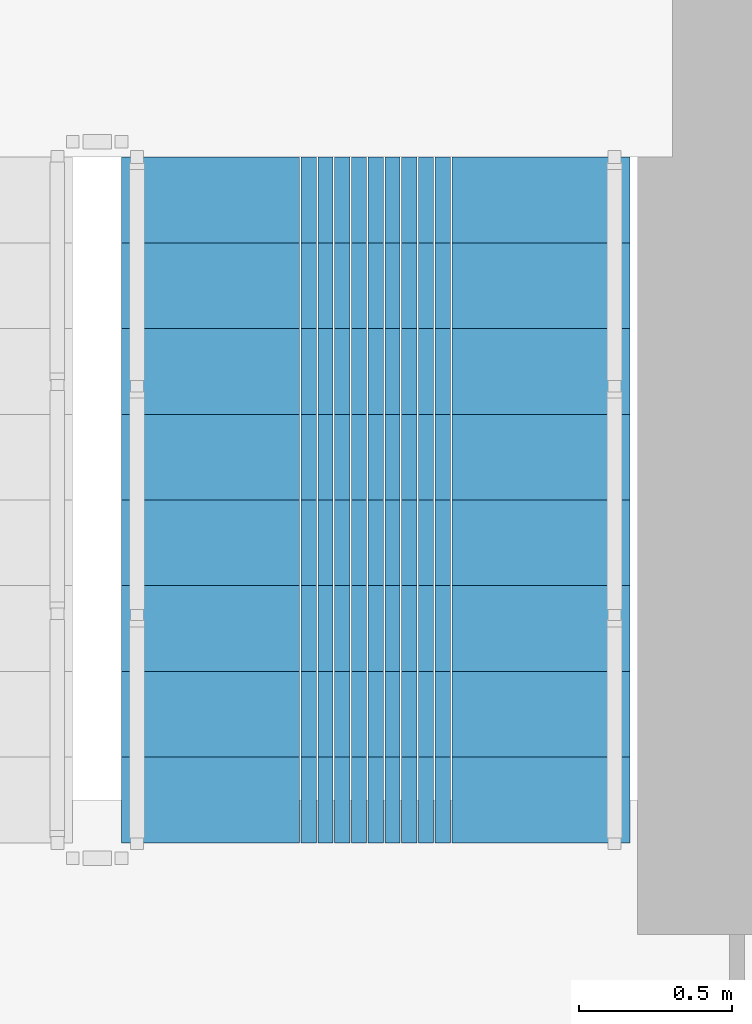
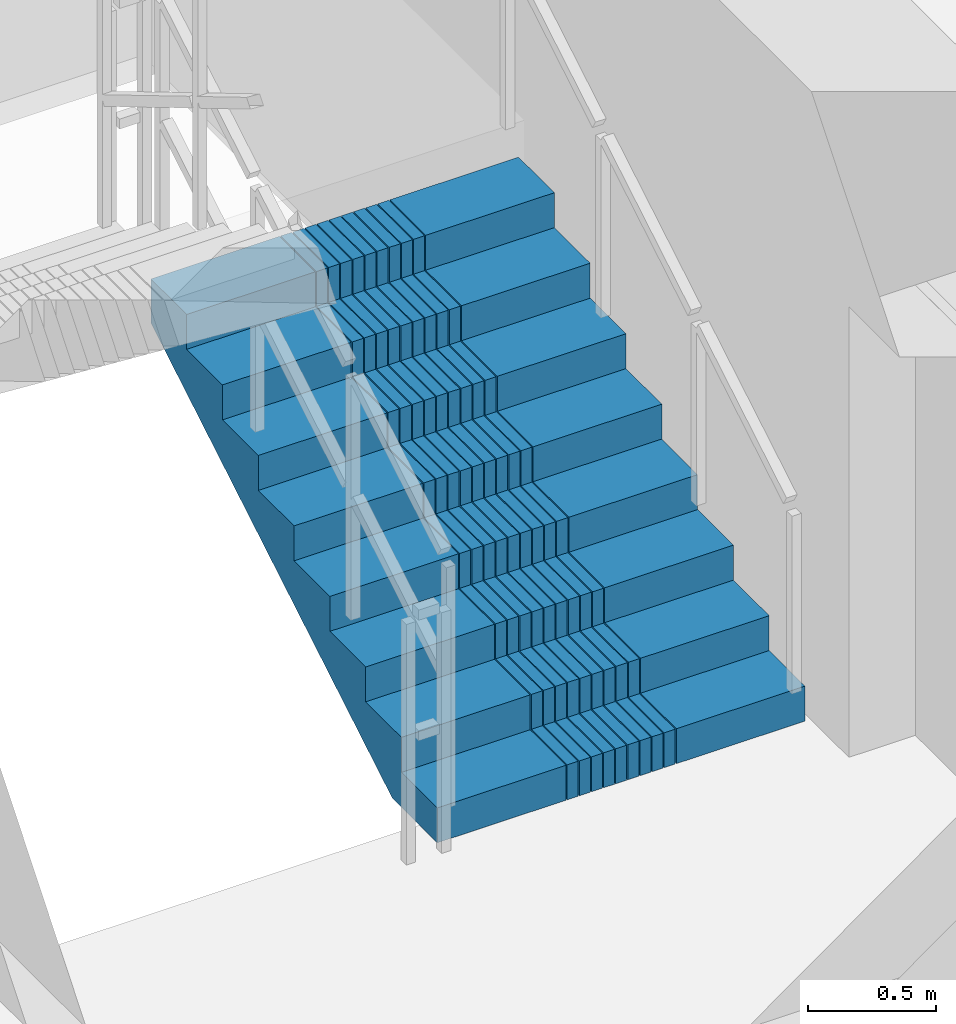
# One storey, part 11 of 19: 1 stair flight, 1 element without a shape of its own.
"""IFC4 building model written with IfcOpenShell, lengths in metres."""

from ifc_helpers import new_model, si_unit, direction, frame, origin, place, context, subcontext, project, spatial, polyline, outline, extrude, material, type_object, element, aggregate, save


model = new_model("IFC4")

# Units and contexts
model_context = context("Model", 3, precision=1e-05, world=origin(), true_north=direction((0.0, 1.0)))
body_context = subcontext(model_context, "Body", "Model", "MODEL_VIEW")
ifc_project = project(units=[si_unit("LENGTHUNIT", "METRE"), si_unit("AREAUNIT", "SQUARE_METRE"), si_unit("VOLUMEUNIT", "CUBIC_METRE"), si_unit("PLANEANGLEUNIT", "RADIAN"), si_unit("MASSUNIT", "GRAM", prefix="KILO")], contexts=[model_context])

# Site, building, storey
site_placement = place(None, origin())
site = spatial("IfcSite", under=ifc_project, at=site_placement, CompositionType="ELEMENT")
building_placement = place(site_placement, origin())
building = spatial("IfcBuilding", under=site, at=building_placement, Name="Saelheon Loggia Tower", CompositionType="ELEMENT")
storey_placement = place(building_placement, frame((0.0, 0.0, 19.39990234375)))
storey = spatial("IfcBuildingStorey", under=building, at=storey_placement, Name="L05", CompositionType="ELEMENT", Elevation=19.39990234375)

# Stair, stair flight
ifc_material = material(Name="Concrete C40/50", Category="concrete")
stair_type = type_object("IfcStairType", Name="Stair_Escape_Core", PredefinedType="HALF_TURN_STAIR", material=ifc_material)
stair_placement = place(storey_placement, origin())
stair = element("IfcStair", 1, at=stair_placement, inside=storey, type_object=stair_type, Name="L05 Special Escape Stair ST2", PredefinedType="HALF_TURN_STAIR")
stair_flight_type = type_object("IfcStairFlightType", Name="StairFlight_Tower_1660", PredefinedType="STRAIGHT", material=ifc_material)
stair_flight_placement = place(storey_placement, frame((43.320068359375, 30.449951171875, 0.0), z_axis=(0.0, 0.0, 1.0), x_axis=(0.0, 1.0, 0.0)))
stair_flight = element("IfcStairFlight", 2, at=stair_flight_placement, type_object=stair_flight_type, Name="ST2 flight 1", NumberOfRisers=9, NumberOfTreads=8, PredefinedType="STRAIGHT", RiserHeight=0.166666667, TreadLength=0.28, context=body_context, shape_type="SweptSolid", body=[
    extrude(outline(polyline([(0.0, 0.0), (0.0, 0.166748046875), (0.280029296875, 0.166748046875), (0.280029296875, 0.333251953125), (0.56005859375, 0.333251953125), (0.56005859375, 0.5), (0.840087890625, 0.5), (0.840087890625, 0.666748046875), (1.1201171875, 0.666748046875), (1.1201171875, 0.833251953125), (1.39990234375, 0.833251953125), (1.39990234375, 1.0), (1.679931640625, 1.0), (1.679931640625, 1.166748046875), (1.9599609375, 1.166748046875), (1.9599609375, 1.333251953125), (2.239990234375, 1.333251953125), (2.239990234375, 1.5), (2.239990234375, 1.1240234375), (0.351806640625, 0.0), (0.0, 0.0)])), frame((0.0, -0.2490234375, 0.0), z_axis=(0.0, -1.0, 0.0), x_axis=(1.0, 0.0, 0.0)), (0.0, 0.0, 1.0), 0.5810546875),
    extrude(outline(polyline([(0.0, 0.0), (0.0, 0.166748046875), (0.280029296875, 0.166748046875), (0.280029296875, 0.333251953125), (0.56005859375, 0.333251953125), (0.56005859375, 0.5), (0.840087890625, 0.5), (0.840087890625, 0.666748046875), (1.1201171875, 0.666748046875), (1.1201171875, 0.833251953125), (1.39990234375, 0.833251953125), (1.39990234375, 1.0), (1.679931640625, 1.0), (1.679931640625, 1.166748046875), (1.9599609375, 1.166748046875), (1.9599609375, 1.333251953125), (2.239990234375, 1.333251953125), (2.239990234375, 1.5), (2.239990234375, 1.1240234375), (0.351806640625, 0.0), (0.0, 0.0)])), frame((0.0, -0.194091796875, 0.0), z_axis=(0.0, -1.0, 0.0), x_axis=(1.0, 0.0, 0.0)), (0.0, 0.0, 1.0), 0.0498046875),
    extrude(outline(polyline([(0.0, 0.0), (0.0, 0.166748046875), (0.280029296875, 0.166748046875), (0.280029296875, 0.333251953125), (0.56005859375, 0.333251953125), (0.56005859375, 0.5), (0.840087890625, 0.5), (0.840087890625, 0.666748046875), (1.1201171875, 0.666748046875), (1.1201171875, 0.833251953125), (1.39990234375, 0.833251953125), (1.39990234375, 1.0), (1.679931640625, 1.0), (1.679931640625, 1.166748046875), (1.9599609375, 1.166748046875), (1.9599609375, 1.333251953125), (2.239990234375, 1.333251953125), (2.239990234375, 1.5), (2.239990234375, 1.1240234375), (0.351806640625, 0.0), (0.0, 0.0)])), frame((0.0, -0.139404296875, 0.0), z_axis=(0.0, -1.0, 0.0), x_axis=(1.0, 0.0, 0.0)), (0.0, 0.0, 1.0), 0.0498046875),
    extrude(outline(polyline([(0.0, 0.0), (0.0, 0.166748046875), (0.280029296875, 0.166748046875), (0.280029296875, 0.333251953125), (0.56005859375, 0.333251953125), (0.56005859375, 0.5), (0.840087890625, 0.5), (0.840087890625, 0.666748046875), (1.1201171875, 0.666748046875), (1.1201171875, 0.833251953125), (1.39990234375, 0.833251953125), (1.39990234375, 1.0), (1.679931640625, 1.0), (1.679931640625, 1.166748046875), (1.9599609375, 1.166748046875), (1.9599609375, 1.333251953125), (2.239990234375, 1.333251953125), (2.239990234375, 1.5), (2.239990234375, 1.1240234375), (0.351806640625, 0.0), (0.0, 0.0)])), frame((0.0, -0.084716796875, 0.0), z_axis=(0.0, -1.0, 0.0), x_axis=(1.0, 0.0, 0.0)), (0.0, 0.0, 1.0), 0.0498046875),
    extrude(outline(polyline([(0.0, 0.0), (0.0, 0.166748046875), (0.280029296875, 0.166748046875), (0.280029296875, 0.333251953125), (0.56005859375, 0.333251953125), (0.56005859375, 0.5), (0.840087890625, 0.5), (0.840087890625, 0.666748046875), (1.1201171875, 0.666748046875), (1.1201171875, 0.833251953125), (1.39990234375, 0.833251953125), (1.39990234375, 1.0), (1.679931640625, 1.0), (1.679931640625, 1.166748046875), (1.9599609375, 1.166748046875), (1.9599609375, 1.333251953125), (2.239990234375, 1.333251953125), (2.239990234375, 1.5), (2.239990234375, 1.1240234375), (0.351806640625, 0.0), (0.0, 0.0)])), frame((0.0, -0.02978515625, 0.0), z_axis=(0.0, -1.0, 0.0), x_axis=(1.0, 0.0, 0.0)), (0.0, 0.0, 1.0), 0.0498046875),
    extrude(outline(polyline([(0.0, 0.0), (0.0, 0.166748046875), (0.280029296875, 0.166748046875), (0.280029296875, 0.333251953125), (0.56005859375, 0.333251953125), (0.56005859375, 0.5), (0.840087890625, 0.5), (0.840087890625, 0.666748046875), (1.1201171875, 0.666748046875), (1.1201171875, 0.833251953125), (1.39990234375, 0.833251953125), (1.39990234375, 1.0), (1.679931640625, 1.0), (1.679931640625, 1.166748046875), (1.9599609375, 1.166748046875), (1.9599609375, 1.333251953125), (2.239990234375, 1.333251953125), (2.239990234375, 1.5), (2.239990234375, 1.1240234375), (0.351806640625, 0.0), (0.0, 0.0)])), frame((0.0, 0.02490234375, 0.0), z_axis=(0.0, -1.0, 0.0), x_axis=(1.0, 0.0, 0.0)), (0.0, 0.0, 1.0), 0.0498046875),
    extrude(outline(polyline([(0.0, 0.0), (0.0, 0.166748046875), (0.280029296875, 0.166748046875), (0.280029296875, 0.333251953125), (0.56005859375, 0.333251953125), (0.56005859375, 0.5), (0.840087890625, 0.5), (0.840087890625, 0.666748046875), (1.1201171875, 0.666748046875), (1.1201171875, 0.833251953125), (1.39990234375, 0.833251953125), (1.39990234375, 1.0), (1.679931640625, 1.0), (1.679931640625, 1.166748046875), (1.9599609375, 1.166748046875), (1.9599609375, 1.333251953125), (2.239990234375, 1.333251953125), (2.239990234375, 1.5), (2.239990234375, 1.1240234375), (0.351806640625, 0.0), (0.0, 0.0)])), frame((0.0, 0.07958984375, 0.0), z_axis=(0.0, -1.0, 0.0), x_axis=(1.0, 0.0, 0.0)), (0.0, 0.0, 1.0), 0.0498046875),
    extrude(outline(polyline([(0.0, 0.0), (0.0, 0.166748046875), (0.280029296875, 0.166748046875), (0.280029296875, 0.333251953125), (0.56005859375, 0.333251953125), (0.56005859375, 0.5), (0.840087890625, 0.5), (0.840087890625, 0.666748046875), (1.1201171875, 0.666748046875), (1.1201171875, 0.833251953125), (1.39990234375, 0.833251953125), (1.39990234375, 1.0), (1.679931640625, 1.0), (1.679931640625, 1.166748046875), (1.9599609375, 1.166748046875), (1.9599609375, 1.333251953125), (2.239990234375, 1.333251953125), (2.239990234375, 1.5), (2.239990234375, 1.1240234375), (0.351806640625, 0.0), (0.0, 0.0)])), frame((0.0, 0.134521484375, 0.0), z_axis=(0.0, -1.0, 0.0), x_axis=(1.0, 0.0, 0.0)), (0.0, 0.0, 1.0), 0.0498046875),
    extrude(outline(polyline([(0.0, 0.0), (0.0, 0.166748046875), (0.280029296875, 0.166748046875), (0.280029296875, 0.333251953125), (0.56005859375, 0.333251953125), (0.56005859375, 0.5), (0.840087890625, 0.5), (0.840087890625, 0.666748046875), (1.1201171875, 0.666748046875), (1.1201171875, 0.833251953125), (1.39990234375, 0.833251953125), (1.39990234375, 1.0), (1.679931640625, 1.0), (1.679931640625, 1.166748046875), (1.9599609375, 1.166748046875), (1.9599609375, 1.333251953125), (2.239990234375, 1.333251953125), (2.239990234375, 1.5), (2.239990234375, 1.1240234375), (0.351806640625, 0.0), (0.0, 0.0)])), frame((0.0, 0.189208984375, 0.0), z_axis=(0.0, -1.0, 0.0), x_axis=(1.0, 0.0, 0.0)), (0.0, 0.0, 1.0), 0.0498046875),
    extrude(outline(polyline([(0.0, 0.0), (0.0, 0.166748046875), (0.280029296875, 0.166748046875), (0.280029296875, 0.333251953125), (0.56005859375, 0.333251953125), (0.56005859375, 0.5), (0.840087890625, 0.5), (0.840087890625, 0.666748046875), (1.1201171875, 0.666748046875), (1.1201171875, 0.833251953125), (1.39990234375, 0.833251953125), (1.39990234375, 1.0), (1.679931640625, 1.0), (1.679931640625, 1.166748046875), (1.9599609375, 1.166748046875), (1.9599609375, 1.333251953125), (2.239990234375, 1.333251953125), (2.239990234375, 1.5), (2.239990234375, 1.1240234375), (0.351806640625, 0.0), (0.0, 0.0)])), frame((0.0, 0.243896484375, 0.0), z_axis=(0.0, -1.0, 0.0), x_axis=(1.0, 0.0, 0.0)), (0.0, 0.0, 1.0), 0.0498046875),
    extrude(outline(polyline([(0.0, 0.0), (0.0, 0.166748046875), (0.280029296875, 0.166748046875), (0.280029296875, 0.333251953125), (0.56005859375, 0.333251953125), (0.56005859375, 0.5), (0.840087890625, 0.5), (0.840087890625, 0.666748046875), (1.1201171875, 0.666748046875), (1.1201171875, 0.833251953125), (1.39990234375, 0.833251953125), (1.39990234375, 1.0), (1.679931640625, 1.0), (1.679931640625, 1.166748046875), (1.9599609375, 1.166748046875), (1.9599609375, 1.333251953125), (2.239990234375, 1.333251953125), (2.239990234375, 1.5), (2.239990234375, 1.1240234375), (0.351806640625, 0.0), (0.0, 0.0)])), frame((0.0, 0.830078125, 0.0), z_axis=(0.0, -1.0, 0.0), x_axis=(1.0, 0.0, 0.0)), (0.0, 0.0, 1.0), 0.5810546875),
])
aggregate(stair, [stair_flight])

save(model, "model.ifc")
